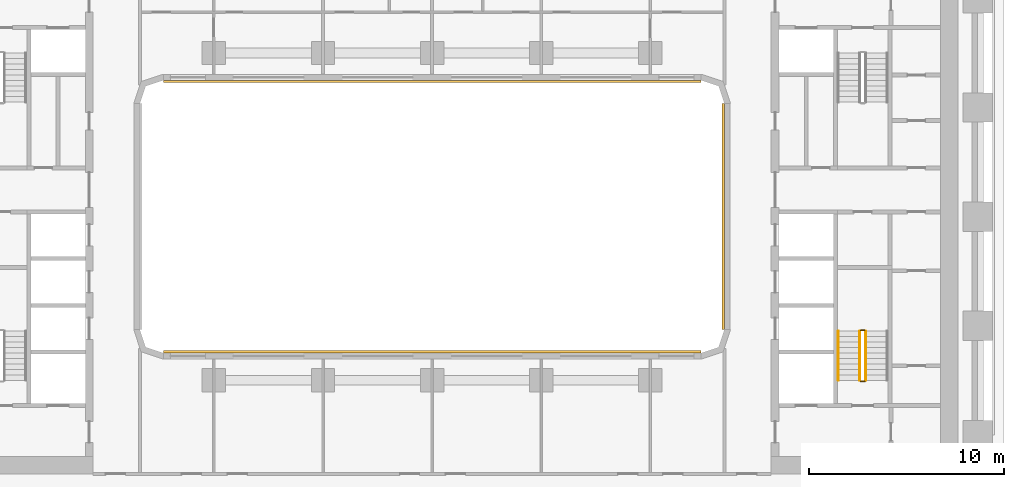
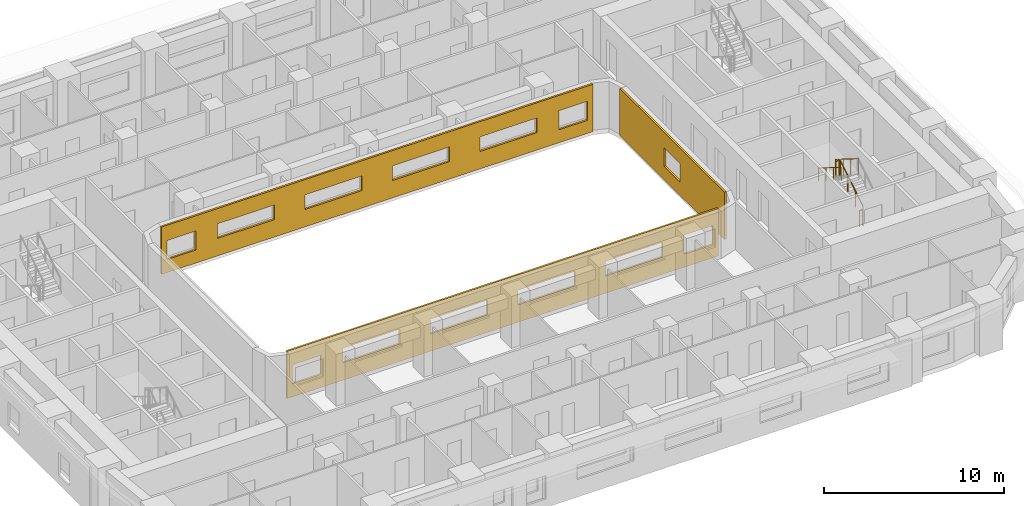
# One storey, part 16 of 21: 5 railings, 3 coverings.
"""IFC4 building model written with IfcOpenShell, lengths in metres."""

from ifc_helpers import new_model, si_unit, direction, frame, origin, origin_2d, place, context, subcontext, project, spatial, polyline, circle, outline, extrude, material, layer, layer_set, type_object, element, save


model = new_model("IFC4")

# Units and contexts
model_context = context("Model", 3, precision=1e-05, world=origin(), true_north=direction((0.0, 1.0)))
body_context = subcontext(model_context, "Body", "Model", "MODEL_VIEW")
ifc_project = project(units=[si_unit("LENGTHUNIT", "METRE"), si_unit("AREAUNIT", "SQUARE_METRE"), si_unit("VOLUMEUNIT", "CUBIC_METRE"), si_unit("PLANEANGLEUNIT", "RADIAN"), si_unit("MASSUNIT", "GRAM", prefix="KILO")], contexts=[model_context])

# Site, building, storey
site_placement = place(None, origin())
site = spatial("IfcSite", under=ifc_project, at=site_placement, CompositionType="ELEMENT")
building_placement = place(site_placement, origin())
building = spatial("IfcBuilding", under=site, at=building_placement, Name="Kiln Ring Residences", CompositionType="ELEMENT")
storey_placement = place(building_placement, frame((0.0, 0.0, 41.0)))
storey = spatial("IfcBuildingStorey", under=building, at=storey_placement, Name="L09", CompositionType="ELEMENT", Elevation=41.0)

# Railings
ifc_material_1 = material(Name="Stainless steel", Category="steel")
railing_type_1 = type_object("IfcRailingType", Name="CORE-STAIR-GUARD", PredefinedType="GUARDRAIL", material=ifc_material_1)
railing_1_placement = place(storey_placement, frame((22.25, -8.39990234375, 0.175048828125)))
element("IfcRailing", 1, at=railing_1_placement, inside=storey, type_object=railing_type_1, Name="L09 E-STS stair guard 1", PredefinedType="GUARDRAIL", context=body_context, shape_type="SweptSolid", body=[
    extrude(circle(Radius=0.02392578125, at=origin_2d()), frame((0.0, 0.0, 1.076171875), z_axis=(0.0, 0.848007534815, 0.529984170421), x_axis=(-1.0, 0.0, 0.0)), (0.0, 0.0, 1.0), 2.9716796875),
    extrude(circle(Radius=0.02099609375, at=origin_2d()), origin(), (0.0, 0.0, 1.0), 1.052001953125),
    extrude(circle(Radius=0.02099609375, at=origin_2d()), frame((0.0, 0.840087890625, 0.52490234375)), (0.0, 0.0, 1.0), 1.052001953125),
    extrude(circle(Radius=0.02099609375, at=origin_2d()), frame((0.0, 1.679931640625, 1.050048828125)), (0.0, 0.0, 1.0), 1.052001953125),
    extrude(circle(Radius=0.02099609375, at=origin_2d()), frame((0.0, 2.52001953125, 1.574951171875)), (0.0, 0.0, 1.0), 1.052001953125),
])
railing_2_placement = place(storey_placement, frame((22.199951171875, -5.830078125, 1.75)))
element("IfcRailing", 2, at=railing_2_placement, inside=storey, type_object=railing_type_1, Name="L09 E-STS stair guard 2", PredefinedType="GUARDRAIL", context=body_context, shape_type="SweptSolid", body=[
    extrude(circle(Radius=0.02392578125, at=origin_2d()), frame((0.0, 0.0, 1.076171875), z_axis=(-1.0, 0.0, 0.0), x_axis=(0.0, -1.0, 0.0)), (0.0, 0.0, 1.0), 0.199951171875),
    extrude(circle(Radius=0.02099609375, at=origin_2d()), origin(), (0.0, 0.0, 1.0), 1.052001953125),
    extrude(circle(Radius=0.02099609375, at=origin_2d()), frame((-0.199951171875, 0.0, 0.0)), (0.0, 0.0, 1.0), 1.052001953125),
])
railing_3_placement = place(storey_placement, frame((21.949951171875, -5.8798828125, 1.925048828125)))
element("IfcRailing", 3, at=railing_3_placement, inside=storey, type_object=railing_type_1, Name="L09 E-STS stair guard 3", PredefinedType="GUARDRAIL", context=body_context, shape_type="SweptSolid", body=[
    extrude(circle(Radius=0.02392578125, at=origin_2d()), frame((0.0, 0.0, 1.076171875), z_axis=(0.0, -0.848007534815, 0.529984170421), x_axis=(1.0, 0.0, 0.0)), (0.0, 0.0, 1.0), 2.9716796875),
    extrude(circle(Radius=0.02099609375, at=origin_2d()), origin(), (0.0, 0.0, 1.0), 1.052001953125),
    extrude(circle(Radius=0.02099609375, at=origin_2d()), frame((0.0, -0.840087890625, 0.52490234375)), (0.0, 0.0, 1.0), 1.052001953125),
    extrude(circle(Radius=0.02099609375, at=origin_2d()), frame((0.0, -1.679931640625, 1.050048828125)), (0.0, 0.0, 1.0), 1.052001953125),
    extrude(circle(Radius=0.02099609375, at=origin_2d()), frame((0.0, -2.52001953125, 1.574951171875)), (0.0, 0.0, 1.0), 1.052001953125),
])
railing_4_placement = place(storey_placement, frame((22.199951171875, -8.449951171875, 0.0)))
element("IfcRailing", 4, at=railing_4_placement, inside=storey, type_object=railing_type_1, Name="L09 E-STS stair guard 4", PredefinedType="GUARDRAIL", context=body_context, shape_type="SweptSolid", body=[
    extrude(circle(Radius=0.02392578125, at=origin_2d()), frame((0.0, 0.0, 1.076171875), z_axis=(-1.0, 0.0, 0.0), x_axis=(0.0, -1.0, 0.0)), (0.0, 0.0, 1.0), 0.199951171875),
    extrude(circle(Radius=0.02099609375, at=origin_2d()), origin(), (0.0, 0.0, 1.0), 1.052001953125),
    extrude(circle(Radius=0.02099609375, at=origin_2d()), frame((-0.199951171875, 0.0, 0.0)), (0.0, 0.0, 1.0), 1.052001953125),
])
ifc_material_2 = material(Name="Stainless steel", Category="steel")
railing_type_2 = type_object("IfcRailingType", Name="CORE-STAIR-HANDRAIL", PredefinedType="HANDRAIL", material=ifc_material_2)
railing_5_placement = place(storey_placement, frame((20.85009765625, -5.8798828125, 1.925048828125)))
element("IfcRailing", 5, at=railing_5_placement, inside=storey, type_object=railing_type_2, Name="L09 E-STS stair handrail 2", PredefinedType="HANDRAIL", context=body_context, shape_type="SweptSolid", body=[
    extrude(circle(Radius=0.02392578125, at=origin_2d()), frame((0.0, 0.0, 0.8759765625), z_axis=(0.0, -0.848007534815, 0.529984170421), x_axis=(1.0, 0.0, 0.0)), (0.0, 0.0, 1.0), 2.9716796875),
    extrude(circle(Radius=0.02099609375, at=origin_2d()), origin(), (0.0, 0.0, 1.0), 0.851806640625),
    extrude(circle(Radius=0.02099609375, at=origin_2d()), frame((0.0, -0.840087890625, 0.52490234375)), (0.0, 0.0, 1.0), 0.851806640625),
    extrude(circle(Radius=0.02099609375, at=origin_2d()), frame((0.0, -1.679931640625, 1.050048828125)), (0.0, 0.0, 1.0), 0.851806640625),
    extrude(circle(Radius=0.02099609375, at=origin_2d()), frame((0.0, -2.52001953125, 1.574951171875)), (0.0, 0.0, 1.0), 0.851806640625),
])

# Coverings
ifc_material_3 = material(Name="Brick masonry, dark clay brick", Category="masonry")
ifc_layer = layer(ifc_material_3, 0.1201171875)
ifc_layer_set = layer_set([ifc_layer], Name="RAINSCREEN PANEL 120")
covering_type = type_object("IfcCoveringType", Name="RAINSCREEN PANEL 120", PredefinedType="CLADDING", material=ifc_layer_set)
covering_1_placement = place(storey_placement, frame((-13.800048828125, 6.93994140625, 0.0), z_axis=(0.0, 0.0, 1.0), x_axis=(1.0, 0.0, 0.0)))
element("IfcCovering", 6, at=covering_1_placement, inside=storey, type_object=covering_type, Name="RAINSCREEN L09", PredefinedType="CLADDING", context=body_context, shape_type="SweptSolid", body=[
    extrude(outline(polyline([(0.0, 0.0), (27.60009765625, 0.0), (27.60009765625, 3.199951171875), (0.0, 3.199951171875), (0.0, 0.0)]), holes=[polyline([(2.1826171875, 0.8798828125), (2.1826171875, 2.169921875), (0.342529296875, 2.169921875), (0.342529296875, 0.8798828125), (2.1826171875, 0.8798828125)]), polyline([(25.41748046875, 0.8798828125), (27.257568359375, 0.8798828125), (27.257568359375, 2.169921875), (25.41748046875, 2.169921875), (25.41748046875, 0.8798828125)]), polyline([(3.580078125, 1.179931640625), (7.219970703125, 1.179931640625), (7.219970703125, 2.169921875), (3.580078125, 2.169921875), (3.580078125, 1.179931640625)]), polyline([(12.820068359375, 1.179931640625), (12.820068359375, 2.169921875), (9.179931640625, 2.169921875), (9.179931640625, 1.179931640625), (12.820068359375, 1.179931640625)]), polyline([(14.780029296875, 1.179931640625), (18.419921875, 1.179931640625), (18.419921875, 2.169921875), (14.780029296875, 2.169921875), (14.780029296875, 1.179931640625)]), polyline([(20.3798828125, 1.179931640625), (24.02001953125, 1.179931640625), (24.02001953125, 2.169921875), (20.3798828125, 2.169921875), (20.3798828125, 1.179931640625)])]), frame((0.0, 0.06005859375, 0.0), z_axis=(0.0, -1.0, 0.0), x_axis=(1.0, 0.0, 0.0)), (0.0, 0.0, 1.0), 0.1201171875),
])
covering_2_placement = place(storey_placement, frame((14.93994140625, 5.800048828125, 0.0), z_axis=(0.0, 0.0, 1.0), x_axis=(0.0, -1.0, 0.0)))
element("IfcCovering", 7, at=covering_2_placement, inside=storey, type_object=covering_type, Name="RAINSCREEN L09", PredefinedType="CLADDING", context=body_context, shape_type="SweptSolid", body=[
    extrude(outline(polyline([(0.0, 0.0), (11.60009765625, 0.0), (11.60009765625, 3.199951171875), (0.0, 3.199951171875), (0.0, 0.0)]), holes=[polyline([(4.89990234375, 2.14990234375), (4.89990234375, 0.89990234375), (6.699951171875, 0.89990234375), (6.699951171875, 2.14990234375), (4.89990234375, 2.14990234375)])]), frame((0.0, 0.06005859375, 0.0), z_axis=(0.0, -1.0, 0.0), x_axis=(1.0, 0.0, 0.0)), (0.0, 0.0, 1.0), 0.1201171875),
])
covering_3_placement = place(storey_placement, frame((13.800048828125, -6.93994140625, 0.0), z_axis=(0.0, 0.0, 1.0), x_axis=(-1.0, 0.0, 0.0)))
element("IfcCovering", 8, at=covering_3_placement, inside=storey, type_object=covering_type, Name="RAINSCREEN L09", PredefinedType="CLADDING", context=body_context, shape_type="SweptSolid", body=[
    extrude(outline(polyline([(0.0, 0.0), (27.60009765625, 0.0), (27.60009765625, 3.199951171875), (0.0, 3.199951171875), (0.0, 0.0)]), holes=[polyline([(2.1826171875, 0.8798828125), (2.1826171875, 2.169921875), (0.342529296875, 2.169921875), (0.342529296875, 0.8798828125), (2.1826171875, 0.8798828125)]), polyline([(25.41748046875, 0.8798828125), (27.257568359375, 0.8798828125), (27.257568359375, 2.169921875), (25.41748046875, 2.169921875), (25.41748046875, 0.8798828125)]), polyline([(3.580078125, 1.179931640625), (7.219970703125, 1.179931640625), (7.219970703125, 2.169921875), (3.580078125, 2.169921875), (3.580078125, 1.179931640625)]), polyline([(12.820068359375, 1.179931640625), (12.820068359375, 2.169921875), (9.179931640625, 2.169921875), (9.179931640625, 1.179931640625), (12.820068359375, 1.179931640625)]), polyline([(14.780029296875, 1.179931640625), (18.419921875, 1.179931640625), (18.419921875, 2.169921875), (14.780029296875, 2.169921875), (14.780029296875, 1.179931640625)]), polyline([(20.3798828125, 1.179931640625), (24.02001953125, 1.179931640625), (24.02001953125, 2.169921875), (20.3798828125, 2.169921875), (20.3798828125, 1.179931640625)])]), frame((0.0, 0.06005859375, 0.0), z_axis=(0.0, -1.0, 0.0), x_axis=(1.0, 0.0, 0.0)), (0.0, 0.0, 1.0), 0.1201171875),
])

save(model, "model.ifc")
